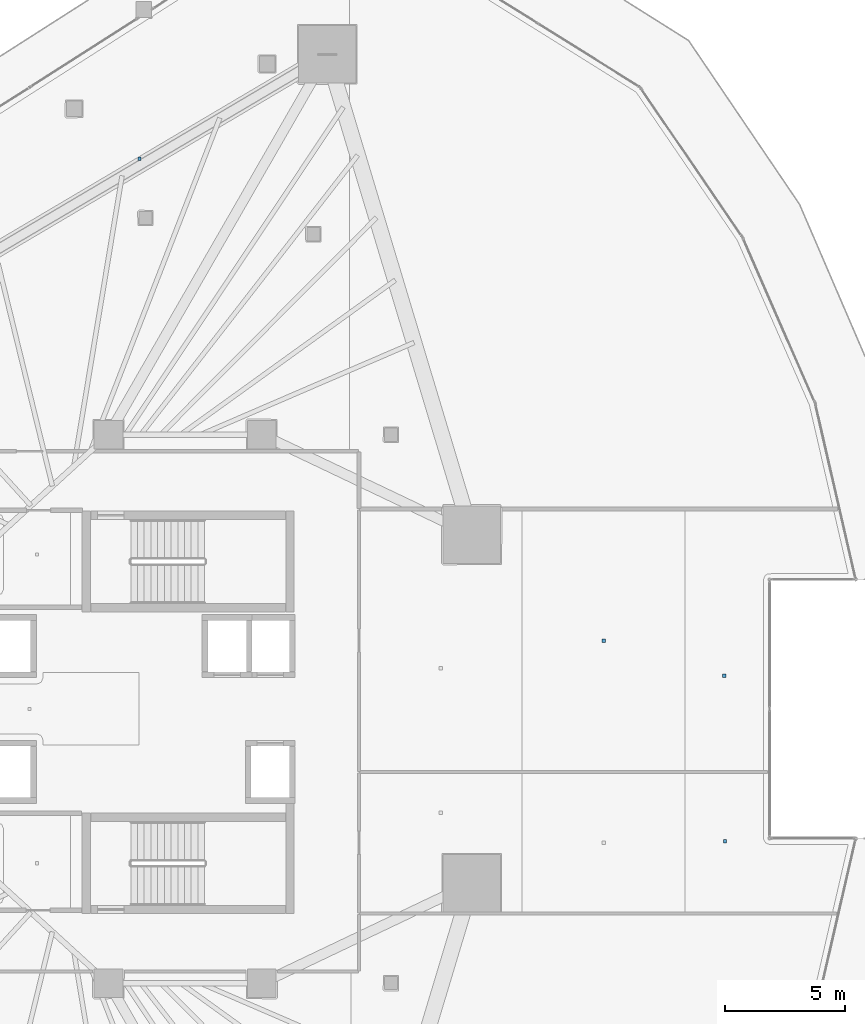
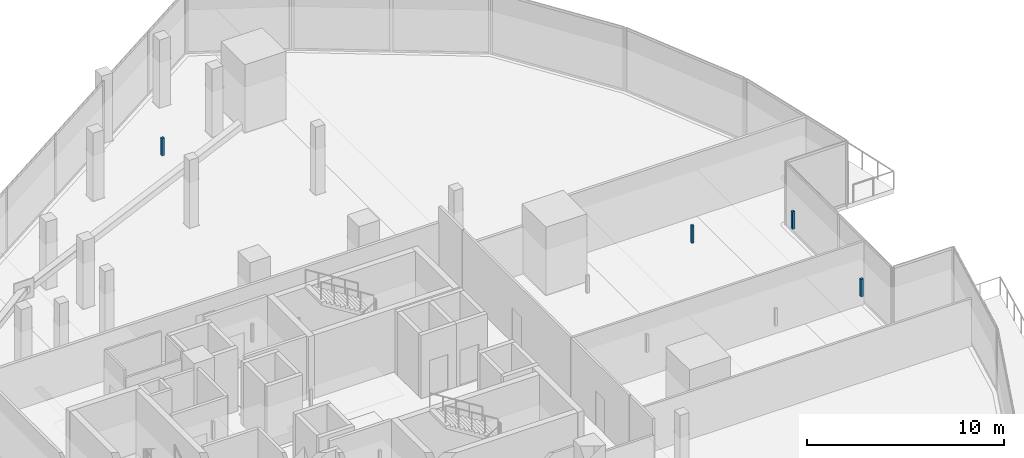
# One storey, part 34 of 43: 4 discrete accessories.
"""IFC4 building model written with IfcOpenShell, lengths in metres."""

from ifc_helpers import new_model, si_unit, direction, frame, origin, origin_2d, place, context, subcontext, project, spatial, rectangle, extrude, material, type_object, element, save


model = new_model("IFC4")

# Units and contexts
model_context = context("Model", 3, precision=1e-05, world=origin(), true_north=direction((0.0, 1.0)))
body_context = subcontext(model_context, "Body", "Model", "MODEL_VIEW")
ifc_project = project(units=[si_unit("LENGTHUNIT", "METRE"), si_unit("AREAUNIT", "SQUARE_METRE"), si_unit("VOLUMEUNIT", "CUBIC_METRE"), si_unit("PLANEANGLEUNIT", "RADIAN"), si_unit("MASSUNIT", "GRAM", prefix="KILO")], contexts=[model_context])

# Site, building, storey
site_placement = place(None, origin())
site = spatial("IfcSite", under=ifc_project, at=site_placement, CompositionType="ELEMENT")
building_placement = place(site_placement, origin())
building = spatial("IfcBuilding", under=site, at=building_placement, Name="Qorvath Tower", CompositionType="ELEMENT")
storey_placement = place(building_placement, frame((0.0, 0.0, 36.60009765625)))
storey = spatial("IfcBuildingStorey", under=building, at=storey_placement, Name="L07", CompositionType="ELEMENT", Elevation=36.60009765625)

# Discrete accessories
ifc_material = material(Name="Galvanised steel bracket", Category="steel")
discrete_accessory_type = type_object("IfcDiscreteAccessoryType", Name="DA-BRACKET", PredefinedType="BRACKET", material=ifc_material)
for number, where, z_axis, x_axis, name in (
    (1, (-22.31005859375, 22.970703125, 2.85986328125), (0.0, 0.0, 1.0), (1.0, 0.0, 0.0), "Acoustic Ceiling Suspension Hanger T1-L07-011"),
    (2, (-2.92626953125, 2.853515625, 2.85986328125), (0.0, 0.0, 1.0), (1.0, 0.0, 0.0), "Acoustic Ceiling Suspension Hanger T1-L07-017"),
    (3, (2.113525390625, 1.385009765625, 2.85986328125), (0.0, 0.0, 1.0), (1.0, 0.0, 0.0), "Acoustic Ceiling Suspension Hanger T1-L07-018"),
    (4, (2.1376953125, -5.522216796875, 2.85986328125), (0.0, 0.0, 1.0), (1.0, 0.0, 0.0), "Acoustic Ceiling Suspension Hanger T1-L07-021"),
):
    element("IfcDiscreteAccessory", number, at=place(storey_placement, frame(where, z_axis=z_axis, x_axis=x_axis)), inside=storey, type_object=discrete_accessory_type, Name=name, PredefinedType="NOTDEFINED", context=body_context, shape_type="SweptSolid", body=[
        extrude(rectangle(XDim=0.139892578125, YDim=0.139892578125, at=origin_2d()), origin(), (0.0, 0.0, 1.0), 1.090087890625),
    ])

save(model, "model.ifc")
